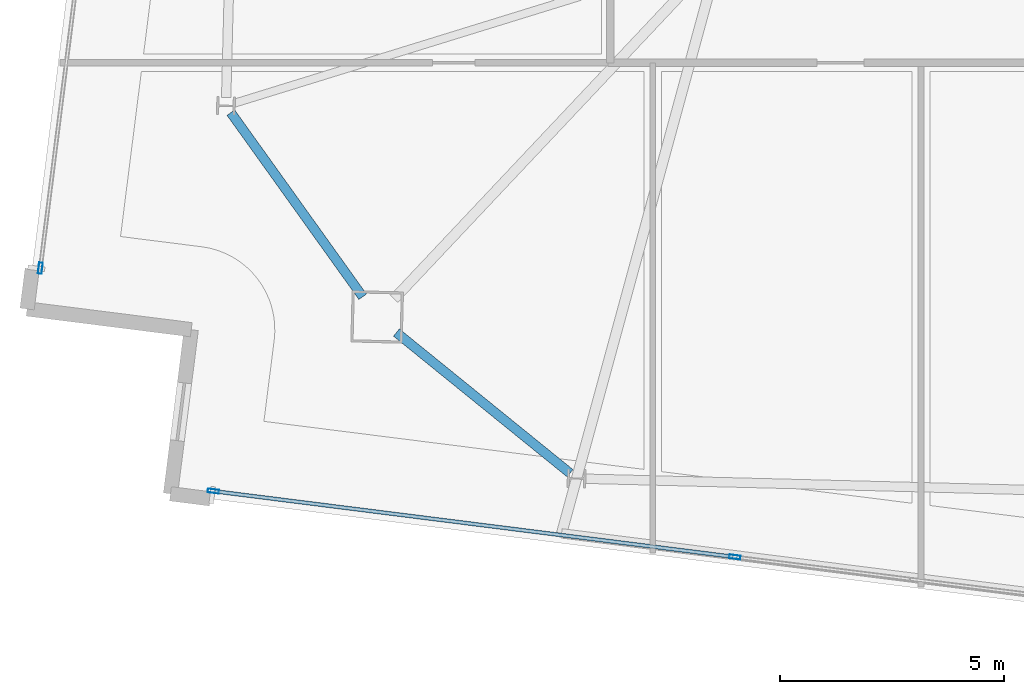
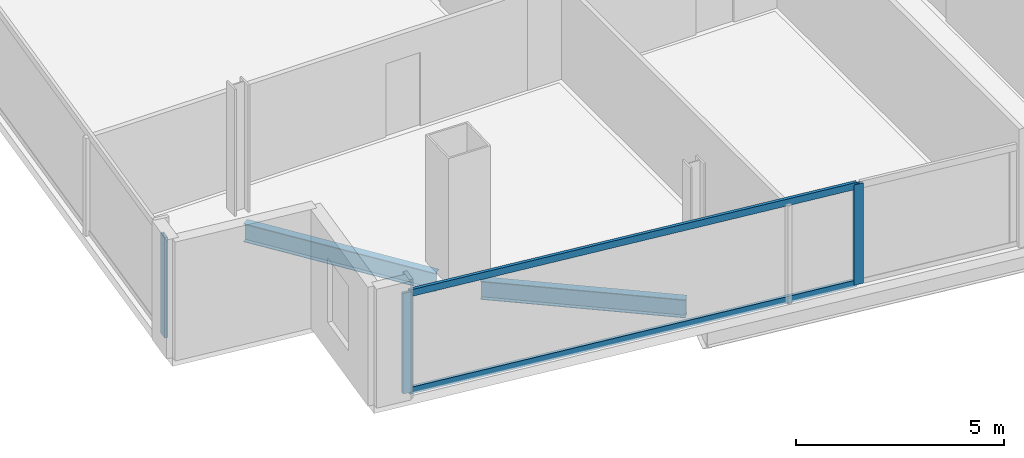
# One storey, part 2 of 23: 5 members, 2 beams, 2 elements without a shape of their own.
"""IFC4 building model written with IfcOpenShell, lengths in metres."""

from ifc_helpers import new_model, si_unit, direction, frame, origin, origin_2d, place, context, subcontext, project, spatial, hollow_rectangle, i_section, extrude, material, material_profile, profile_set, type_object, element, aggregate, save


model = new_model("IFC4")

# Units and contexts
model_context = context("Model", 3, precision=1e-05, world=origin(), true_north=direction((0.0, 1.0)))
body_context = subcontext(model_context, "Body", "Model", "MODEL_VIEW")
ifc_project = project(units=[si_unit("LENGTHUNIT", "METRE"), si_unit("AREAUNIT", "SQUARE_METRE"), si_unit("VOLUMEUNIT", "CUBIC_METRE"), si_unit("PLANEANGLEUNIT", "RADIAN"), si_unit("MASSUNIT", "GRAM", prefix="KILO")], contexts=[model_context])

# Site, building, storey
site_placement = place(None, origin())
site = spatial("IfcSite", under=ifc_project, at=site_placement, CompositionType="ELEMENT")
building_placement = place(site_placement, origin())
building = spatial("IfcBuilding", under=site, at=building_placement, Name="Haldenkirk Collegiate Tower", CompositionType="ELEMENT")
storey_placement = place(building_placement, frame((0.0, 0.0, 306.449951171875)))
storey = spatial("IfcBuildingStorey", under=building, at=storey_placement, Name="L77", CompositionType="ELEMENT", Elevation=306.449951171875)

# Beams
ifc_material_1 = material(Name="Steel ASTM A992 Grade 50", Category="steel")
ifc_material_profile_1 = material_profile(ifc_material_1, i_section(OverallWidth=0.2099609375, OverallDepth=0.537109375, WebThickness=0.010986328125, FlangeThickness=0.017333984375, at=origin_2d()), Name="W21X68")
ifc_profile_set_1 = profile_set([ifc_material_profile_1], Name="Steel ASTM A992 Grade 50")
beam_type = type_object("IfcBeamType", Name="BM-SPANDREL-W21X68", PredefinedType="SPANDREL", material=ifc_profile_set_1)
beam_1_placement = place(storey_placement, frame((16.064208984375, 14.434814453125, -0.528564453125), z_axis=(0.582300220922, -0.812973832737, 0.0), x_axis=(0.812973832737, 0.582300220922, 0.0)))
element("IfcBeam", 1, at=beam_1_placement, inside=storey, type_object=beam_type, Name="L77 perimeter spandrel beam 12", PredefinedType="SPANDREL", context=body_context, shape_type="SweptSolid", body=[
    extrude(i_section(OverallWidth=0.2099609375, OverallDepth=0.537109375, WebThickness=0.010986328125, FlangeThickness=0.017333984375, at=origin_2d()), origin(), (0.0, 0.0, 1.0), 5.064453125),
])
beam_2_placement = place(storey_placement, frame((19.767578125, 9.51708984375, -0.528564453125), z_axis=(0.776950131303, -0.629562144247, 0.0), x_axis=(0.629562144247, 0.776950131303, 0.0)))
element("IfcBeam", 2, at=beam_2_placement, inside=storey, type_object=beam_type, Name="L77 perimeter spandrel beam 13", PredefinedType="SPANDREL", context=body_context, shape_type="SweptSolid", body=[
    extrude(i_section(OverallWidth=0.2099609375, OverallDepth=0.537109375, WebThickness=0.010986328125, FlangeThickness=0.017333984375, at=origin_2d()), origin(), (0.0, 0.0, 1.0), 4.99755859375),
])

# Curtain wall, member
ifc_material_2 = material(Name="Anodised architectural bronze aluminium", Category="aluminium")
curtain_wall_type = type_object("IfcCurtainWallType", Name="CW-SYS1B-CONVEX-HI", PredefinedType="USERDEFINED", material=ifc_material_2)
curtain_wall_1_placement = place(storey_placement, origin())
curtain_wall_1 = element("IfcCurtainWall", 3, at=curtain_wall_1_placement, inside=storey, type_object=curtain_wall_type, Name="L77 Upper tower high-wind convex bronze unitised curtain wall", ObjectType="UNITISED CURTAIN WALL", PredefinedType="USERDEFINED")
ifc_material_profile_2 = material_profile(ifc_material_2, hollow_rectangle(XDim=0.0849609375, YDim=0.25, WallThickness=0.0048828125, at=origin_2d()), Name="CW-MUL-1B")
ifc_profile_set_2 = profile_set([ifc_material_profile_2], Name="Anodised architectural bronze aluminium")
member_type_1 = type_object("IfcMemberType", Name="CW-MUL-1B", PredefinedType="MULLION", material=ifc_profile_set_2)
member_1_placement = place(storey_placement, frame((11.8037109375, 10.95654296875, 0.0), z_axis=(0.0, 0.0, 1.0), x_axis=(-0.992114676148, 0.125333432781, 0.0)))
member_1 = element("IfcMember", 4, at=member_1_placement, type_object=member_type_1, Name="CW-1B mullion 1", PredefinedType="MULLION", context=body_context, shape_type="SweptSolid", body=[
    extrude(hollow_rectangle(XDim=0.0849609375, YDim=0.25, WallThickness=0.0048828125, at=origin_2d()), origin(), (0.0, 0.0, 1.0), 2.947998046875),
])
aggregate(curtain_wall_1, [member_1])

# Curtain wall, members
curtain_wall_2_placement = place(storey_placement, origin())
curtain_wall_2 = element("IfcCurtainWall", 5, at=curtain_wall_2_placement, inside=storey, type_object=curtain_wall_type, Name="L77 Upper tower high-wind convex bronze unitised curtain wall", ObjectType="UNITISED CURTAIN WALL", PredefinedType="USERDEFINED")
member_2_placement = place(storey_placement, frame((27.336669921875, 4.496337890625, 0.0), z_axis=(0.0, 0.0, 1.0), x_axis=(-0.125333192769, -0.992114706468, 0.0)))
member_2 = element("IfcMember", 6, at=member_2_placement, type_object=member_type_1, Name="CW-1B mullion 3", PredefinedType="MULLION", context=body_context, shape_type="SweptSolid", body=[
    extrude(hollow_rectangle(XDim=0.0849609375, YDim=0.25, WallThickness=0.0048828125, at=origin_2d()), origin(), (0.0, 0.0, 1.0), 2.947998046875),
])
member_3_placement = place(storey_placement, frame((15.671875, 5.969970703125, 0.0), z_axis=(0.0, 0.0, 1.0), x_axis=(-0.125333192769, -0.992114706468, 0.0)))
member_3 = element("IfcMember", 7, at=member_3_placement, type_object=member_type_1, Name="CW-1B mullion 4", PredefinedType="MULLION", context=body_context, shape_type="SweptSolid", body=[
    extrude(hollow_rectangle(XDim=0.0849609375, YDim=0.25, WallThickness=0.0048828125, at=origin_2d()), origin(), (0.0, 0.0, 1.0), 2.947998046875),
])
ifc_material_profile_3 = material_profile(ifc_material_2, hollow_rectangle(XDim=0.0849609375, YDim=0.199951171875, WallThickness=0.0048828125, at=origin_2d()), Name="CW-TRN-1B")
ifc_profile_set_3 = profile_set([ifc_material_profile_3], Name="Anodised architectural bronze aluminium")
member_type_2 = type_object("IfcMemberType", Name="CW-TRN-1B", PredefinedType="USERDEFINED", material=ifc_profile_set_3)
member_4_placement = place(storey_placement, frame((27.29443359375, 4.501708984375, 0.04248046875), z_axis=(-0.992115501646, 0.125326898129, 0.0), x_axis=(-0.125326898129, -0.992115501646, 0.0)))
member_4 = element("IfcMember", 8, at=member_4_placement, type_object=member_type_2, Name="CW-1B transom 3.1", ObjectType="TRANSOM", PredefinedType="USERDEFINED", context=body_context, shape_type="SweptSolid", body=[
    extrude(hollow_rectangle(XDim=0.0849609375, YDim=0.199951171875, WallThickness=0.0048828125, at=origin_2d()), origin(), (0.0, 0.0, 1.0), 11.672607421875),
])
member_5_placement = place(storey_placement, frame((27.29443359375, 4.501708984375, 2.905517578125), z_axis=(-0.992115501646, 0.125326898129, 0.0), x_axis=(-0.125326898129, -0.992115501646, 0.0)))
member_5 = element("IfcMember", 9, at=member_5_placement, type_object=member_type_2, Name="CW-1B transom 3.2", ObjectType="TRANSOM", PredefinedType="USERDEFINED", context=body_context, shape_type="SweptSolid", body=[
    extrude(hollow_rectangle(XDim=0.0849609375, YDim=0.199951171875, WallThickness=0.0048828125, at=origin_2d()), origin(), (0.0, 0.0, 1.0), 11.672607421875),
])
aggregate(curtain_wall_2, [member_2, member_3, member_4, member_5])

save(model, "model.ifc")
